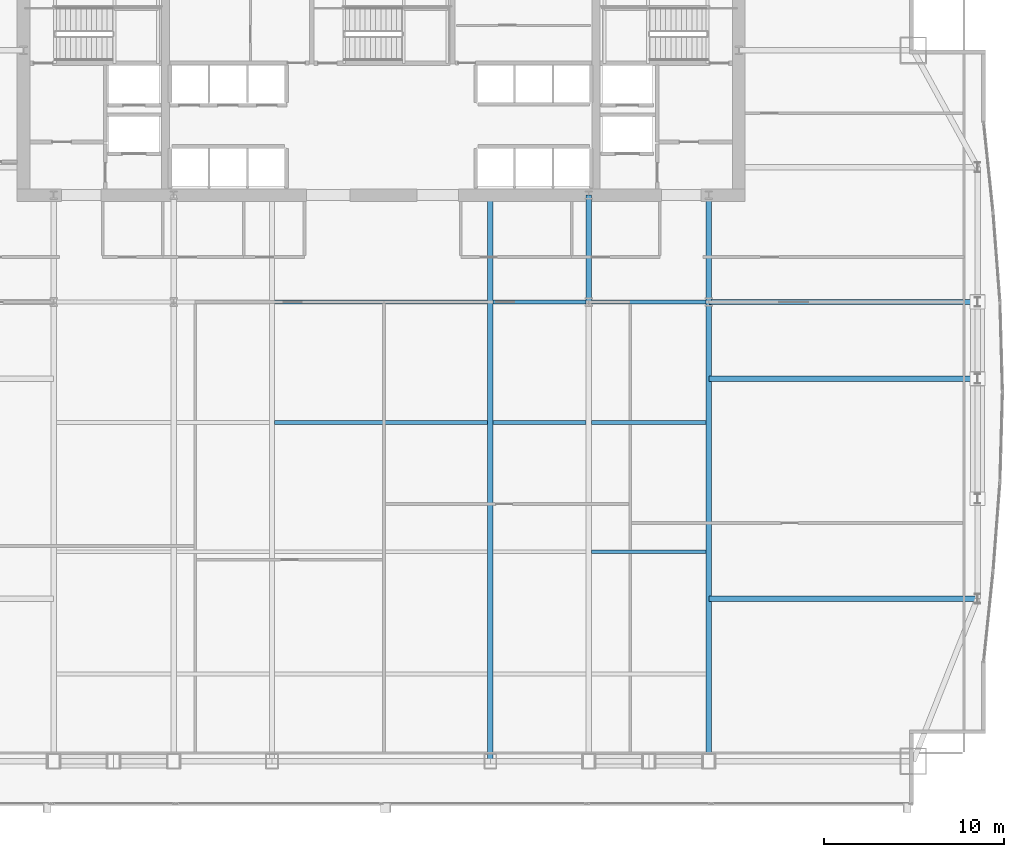
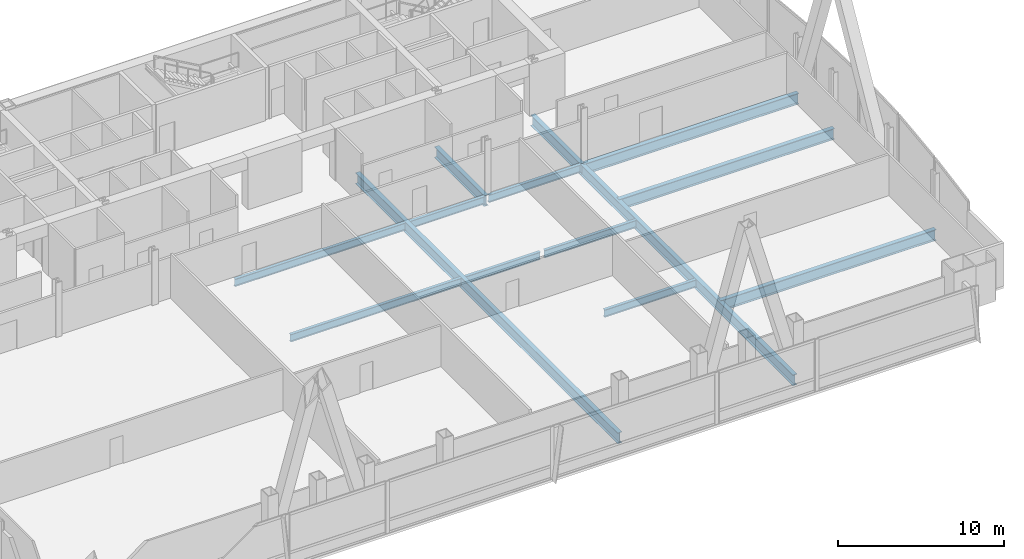
# One storey, part 17 of 32: 14 beams.
"""IFC4 building model written with IfcOpenShell, lengths in metres."""

from ifc_helpers import new_model, si_unit, direction, frame, origin, origin_2d, place, context, subcontext, project, spatial, i_section, extrude, material, material_profile, profile_set, type_object, element, save


model = new_model("IFC4")

# Units and contexts
model_context = context("Model", 3, precision=1e-05, world=origin(), true_north=direction((0.0, 1.0)))
body_context = subcontext(model_context, "Body", "Model", "MODEL_VIEW")
ifc_project = project(units=[si_unit("LENGTHUNIT", "METRE"), si_unit("AREAUNIT", "SQUARE_METRE"), si_unit("VOLUMEUNIT", "CUBIC_METRE"), si_unit("PLANEANGLEUNIT", "RADIAN"), si_unit("MASSUNIT", "GRAM", prefix="KILO")], contexts=[model_context])

# Site, building, storey
site_placement = place(None, origin())
site = spatial("IfcSite", under=ifc_project, at=site_placement, CompositionType="ELEMENT")
building_placement = place(site_placement, origin())
building = spatial("IfcBuilding", under=site, at=building_placement, Name="Khoronbel Lancet Exchange", CompositionType="ELEMENT")
storey_placement = place(building_placement, frame((0.0, 0.0, 94.60009765625)))
storey = spatial("IfcBuildingStorey", under=building, at=storey_placement, Name="L22", CompositionType="ELEMENT", Elevation=94.60009765625)

# Beams
ifc_material = material(Name="Steel S355", Category="steel")
ifc_material_profile_1 = material_profile(ifc_material, i_section(OverallWidth=0.300048828125, OverallDepth=0.800048828125, WebThickness=0.017578125, FlangeThickness=0.032958984375, at=origin_2d()), Name="HEB 800")
ifc_profile_set_1 = profile_set([ifc_material_profile_1], Name="Steel S355")
beam_type_1 = type_object("IfcBeamType", Name="BM-BG2", PredefinedType="BEAM", material=ifc_profile_set_1)
beam_1_placement = place(storey_placement, frame((42.52490234375, 10.14990234375, -0.580078125), z_axis=(0.0, 1.0, 0.0), x_axis=(-1.0, 0.0, 0.0)))
element("IfcBeam", 1, at=beam_1_placement, inside=storey, type_object=beam_type_1, Name="Level L22 primary floor girder G4", PredefinedType="BEAM", context=body_context, shape_type="SweptSolid", body=[
    extrude(i_section(OverallWidth=0.300048828125, OverallDepth=0.800048828125, WebThickness=0.017578125, FlangeThickness=0.032958984375, at=origin_2d()), origin(), (0.0, 0.0, 1.0), 31.5),
])
beam_2_placement = place(storey_placement, frame((48.0, 35.699951171875, -0.580078125), z_axis=(0.0, 1.0, 0.0), x_axis=(-1.0, 0.0, 0.0)))
element("IfcBeam", 2, at=beam_2_placement, inside=storey, type_object=beam_type_1, Name="Level L22 spine tie girder GN5", PredefinedType="BEAM", context=body_context, shape_type="SweptSolid", body=[
    extrude(i_section(OverallWidth=0.300048828125, OverallDepth=0.800048828125, WebThickness=0.017578125, FlangeThickness=0.032958984375, at=origin_2d()), origin(), (0.0, 0.0, 1.0), 5.949951171875),
])
beam_3_placement = place(storey_placement, frame((54.675048828125, 10.14990234375, -0.580078125), z_axis=(0.0, 1.0, 0.0), x_axis=(-1.0, 0.0, 0.0)))
element("IfcBeam", 3, at=beam_3_placement, inside=storey, type_object=beam_type_1, Name="Level L22 south primary girder GS6", PredefinedType="BEAM", context=body_context, shape_type="SweptSolid", body=[
    extrude(i_section(OverallWidth=0.300048828125, OverallDepth=0.800048828125, WebThickness=0.017578125, FlangeThickness=0.032958984375, at=origin_2d()), origin(), (0.0, 0.0, 1.0), 25.550048828125),
])
beam_4_placement = place(storey_placement, frame((54.675048828125, 35.699951171875, -0.580078125), z_axis=(0.0, 1.0, 0.0), x_axis=(-1.0, 0.0, 0.0)))
element("IfcBeam", 4, at=beam_4_placement, inside=storey, type_object=beam_type_1, Name="Level L22 spine tie girder GN6", PredefinedType="BEAM", context=body_context, shape_type="SweptSolid", body=[
    extrude(i_section(OverallWidth=0.300048828125, OverallDepth=0.800048828125, WebThickness=0.017578125, FlangeThickness=0.032958984375, at=origin_2d()), origin(), (0.0, 0.0, 1.0), 5.949951171875),
])
for number, where, z_axis, x_axis, name in (
    (5, (54.675048828125, 19.199951171875, -0.580078125), (1.0, 0.0, 0.0), (0.0, 1.0, 0.0), "Level L22 east lens tie girder LG1E"),
    (6, (54.675048828125, 31.425048828125, -0.580078125), (1.0, 0.0, 0.0), (0.0, 1.0, 0.0), "Level L22 east lens tie girder LG2E"),
    (7, (54.675048828125, 35.699951171875, -0.580078125), (1.0, 0.0, 0.0), (0.0, 1.0, 0.0), "Level L22 east lens tie girder LG4E"),
):
    element("IfcBeam", number, at=place(storey_placement, frame(where, z_axis=z_axis, x_axis=x_axis)), inside=storey, type_object=beam_type_1, Name=name, PredefinedType="BEAM", context=body_context, shape_type="SweptSolid", body=[
        extrude(i_section(OverallWidth=0.300048828125, OverallDepth=0.800048828125, WebThickness=0.017578125, FlangeThickness=0.032958984375, at=origin_2d()), origin(), (0.0, 0.0, 1.0), 14.954833984375),
    ])
ifc_material_profile_2 = material_profile(ifc_material, i_section(OverallWidth=0.2099609375, OverallDepth=0.550048828125, WebThickness=0.010986328125, FlangeThickness=0.01708984375, at=origin_2d()), Name="IPE 550")
ifc_profile_set_2 = profile_set([ifc_material_profile_2], Name="Steel S355")
beam_type_2 = type_object("IfcBeamType", Name="BM-BJ2", PredefinedType="JOIST", material=ifc_profile_set_2)
beam_5_placement = place(storey_placement, frame((48.14990234375, 21.800048828125, -0.455078125), z_axis=(1.0, 0.0, 0.0), x_axis=(0.0, 1.0, 0.0)))
element("IfcBeam", 8, at=beam_5_placement, inside=storey, type_object=beam_type_2, Name="Level L22 secondary composite joist J10", PredefinedType="JOIST", context=body_context, shape_type="SweptSolid", body=[
    extrude(i_section(OverallWidth=0.2099609375, OverallDepth=0.550048828125, WebThickness=0.010986328125, FlangeThickness=0.01708984375, at=origin_2d()), origin(), (0.0, 0.0, 1.0), 6.375),
])
beam_6_placement = place(storey_placement, frame((30.52490234375, 29.0, -0.455078125), z_axis=(1.0, 0.0, 0.0), x_axis=(0.0, 1.0, 0.0)))
element("IfcBeam", 9, at=beam_6_placement, inside=storey, type_object=beam_type_2, Name="Level L22 secondary composite joist J13", PredefinedType="JOIST", context=body_context, shape_type="SweptSolid", body=[
    extrude(i_section(OverallWidth=0.2099609375, OverallDepth=0.550048828125, WebThickness=0.010986328125, FlangeThickness=0.01708984375, at=origin_2d()), origin(), (0.0, 0.0, 1.0), 11.85009765625),
])
beam_7_placement = place(storey_placement, frame((42.675048828125, 29.0, -0.455078125), z_axis=(1.0, 0.0, 0.0), x_axis=(0.0, 1.0, 0.0)))
element("IfcBeam", 10, at=beam_7_placement, inside=storey, type_object=beam_type_2, Name="Level L22 secondary composite joist J14", PredefinedType="JOIST", context=body_context, shape_type="SweptSolid", body=[
    extrude(i_section(OverallWidth=0.2099609375, OverallDepth=0.550048828125, WebThickness=0.010986328125, FlangeThickness=0.01708984375, at=origin_2d()), origin(), (0.0, 0.0, 1.0), 5.175048828125),
])
beam_8_placement = place(storey_placement, frame((48.14990234375, 29.0, -0.455078125), z_axis=(1.0, 0.0, 0.0), x_axis=(0.0, 1.0, 0.0)))
element("IfcBeam", 11, at=beam_8_placement, inside=storey, type_object=beam_type_2, Name="Level L22 secondary composite joist J15", PredefinedType="JOIST", context=body_context, shape_type="SweptSolid", body=[
    extrude(i_section(OverallWidth=0.2099609375, OverallDepth=0.550048828125, WebThickness=0.010986328125, FlangeThickness=0.01708984375, at=origin_2d()), origin(), (0.0, 0.0, 1.0), 6.375),
])
beam_9_placement = place(storey_placement, frame((30.52490234375, 35.699951171875, -0.455078125), z_axis=(1.0, 0.0, 0.0), x_axis=(0.0, 1.0, 0.0)))
element("IfcBeam", 12, at=beam_9_placement, inside=storey, type_object=beam_type_2, Name="Level L22 secondary composite joist J18", PredefinedType="JOIST", context=body_context, shape_type="SweptSolid", body=[
    extrude(i_section(OverallWidth=0.2099609375, OverallDepth=0.550048828125, WebThickness=0.010986328125, FlangeThickness=0.01708984375, at=origin_2d()), origin(), (0.0, 0.0, 1.0), 11.85009765625),
])
beam_10_placement = place(storey_placement, frame((42.675048828125, 35.699951171875, -0.455078125), z_axis=(1.0, 0.0, 0.0), x_axis=(0.0, 1.0, 0.0)))
element("IfcBeam", 13, at=beam_10_placement, inside=storey, type_object=beam_type_2, Name="Level L22 secondary composite joist J19", PredefinedType="JOIST", context=body_context, shape_type="SweptSolid", body=[
    extrude(i_section(OverallWidth=0.2099609375, OverallDepth=0.550048828125, WebThickness=0.010986328125, FlangeThickness=0.01708984375, at=origin_2d()), origin(), (0.0, 0.0, 1.0), 5.175048828125),
])
beam_11_placement = place(storey_placement, frame((48.14990234375, 35.699951171875, -0.455078125), z_axis=(1.0, 0.0, 0.0), x_axis=(0.0, 1.0, 0.0)))
element("IfcBeam", 14, at=beam_11_placement, inside=storey, type_object=beam_type_2, Name="Level L22 secondary composite joist J20", PredefinedType="JOIST", context=body_context, shape_type="SweptSolid", body=[
    extrude(i_section(OverallWidth=0.2099609375, OverallDepth=0.550048828125, WebThickness=0.010986328125, FlangeThickness=0.01708984375, at=origin_2d()), origin(), (0.0, 0.0, 1.0), 6.375),
])

save(model, "model.ifc")
